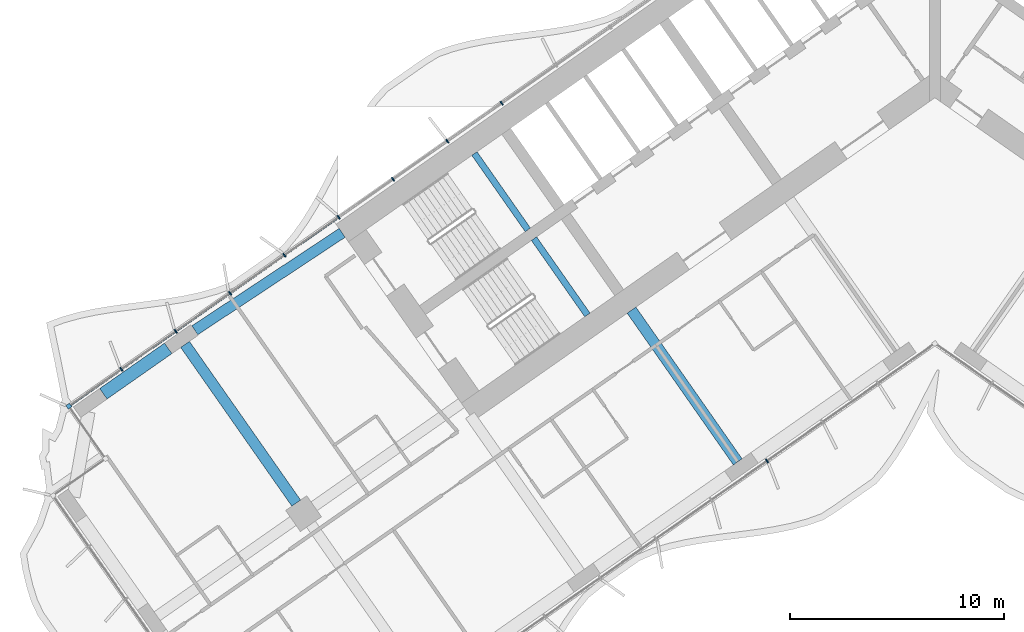
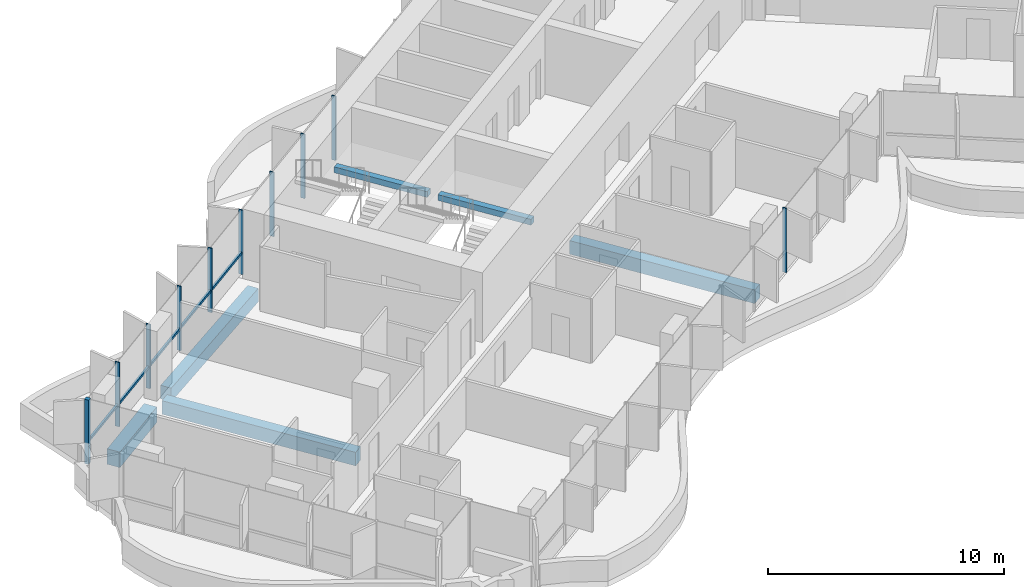
# One storey, part 4 of 22: 11 members, 6 beams, 2 elements without a shape of their own.
"""IFC4 building model written with IfcOpenShell, lengths in metres."""

from ifc_helpers import new_model, si_unit, direction, frame, origin, origin_2d, place, context, subcontext, project, spatial, rectangle, extrude, material, material_profile, profile_set, type_object, element, aggregate, save


model = new_model("IFC4")

# Units and contexts
model_context = context("Model", 3, precision=1e-05, world=origin(), true_north=direction((0.0, 1.0)))
body_context = subcontext(model_context, "Body", "Model", "MODEL_VIEW")
ifc_project = project(units=[si_unit("LENGTHUNIT", "METRE"), si_unit("AREAUNIT", "SQUARE_METRE"), si_unit("VOLUMEUNIT", "CUBIC_METRE"), si_unit("PLANEANGLEUNIT", "RADIAN"), si_unit("MASSUNIT", "GRAM", prefix="KILO")], contexts=[model_context])

# Site, building, storey
site_placement = place(None, origin())
site = spatial("IfcSite", under=ifc_project, at=site_placement, CompositionType="ELEMENT")
building_placement = place(site_placement, origin())
building = spatial("IfcBuilding", under=site, at=building_placement, Name="Tel Ilan Convention Tower", CompositionType="ELEMENT")
storey_placement = place(building_placement, frame((0.0, 0.0, 122.89990234375)))
storey = spatial("IfcBuildingStorey", under=building, at=storey_placement, Name="L27", CompositionType="ELEMENT", Elevation=122.89990234375)

# Beams
ifc_material_1 = material(Name="Concrete C40/50", Category="concrete")
ifc_material_profile_1 = material_profile(ifc_material_1, rectangle(XDim=0.5, YDim=0.699951171875, at=origin_2d()), Name="RC 500x700")
ifc_profile_set_1 = profile_set([ifc_material_profile_1], Name="Concrete C40/50")
beam_type_1 = type_object("IfcBeamType", Name="Beam RC 500x700 Concrete C40/50", PredefinedType="BEAM", material=ifc_profile_set_1)
beam_1_placement = place(storey_placement, frame((-34.570556640625, -12.08447265625, -0.6298828125), z_axis=(0.834273603487, 0.551350663847, 0.0), x_axis=(-0.551350663847, 0.834273603487, 0.0)))
element("IfcBeam", 1, at=beam_1_placement, inside=storey, type_object=beam_type_1, Name="L27 beam W-W-B4-core", PredefinedType="BEAM", context=body_context, shape_type="SweptSolid", body=[
    extrude(rectangle(XDim=0.5, YDim=0.699951171875, at=origin_2d()), origin(), (0.0, 0.0, 1.0), 8.2529296875),
])
beam_2_placement = place(storey_placement, frame((-9.209716796875, -18.229248046875, -0.6298828125), z_axis=(-0.573574099654, 0.819153680457, 0.0), x_axis=(-0.819153680457, -0.573574099654, 0.0)))
element("IfcBeam", 2, at=beam_2_placement, inside=storey, type_object=beam_type_1, Name="L27 beam W-W-F2-core", PredefinedType="BEAM", context=body_context, shape_type="SweptSolid", body=[
    extrude(rectangle(XDim=0.5, YDim=0.699951171875, at=origin_2d()), origin(), (0.0, 0.0, 1.0), 8.64990234375),
])
beam_3_placement = place(storey_placement, frame((-29.83349609375, -20.1572265625, -0.6298828125), z_axis=(-0.57358002233, 0.819149533348, 0.0), x_axis=(-0.819149533348, -0.57358002233, 0.0)))
element("IfcBeam", 3, at=beam_3_placement, inside=storey, type_object=beam_type_1, Name="L27 beam W-W-M4-W-B4", PredefinedType="BEAM", context=body_context, shape_type="SweptSolid", body=[
    extrude(rectangle(XDim=0.5, YDim=0.699951171875, at=origin_2d()), origin(), (0.0, 0.0, 1.0), 9.050048828125),
])
ifc_material_2 = material(Name="Concrete C40/50", Category="concrete")
ifc_material_profile_2 = material_profile(ifc_material_2, rectangle(XDim=0.60009765625, YDim=0.800048828125, at=origin_2d()), Name="RC 600x800")
ifc_profile_set_2 = profile_set([ifc_material_profile_2], Name="Concrete C40/50")
beam_type_2 = type_object("IfcBeamType", Name="Beam RC 600x800 Concrete C40/50", PredefinedType="BEAM", material=ifc_profile_set_2)
beam_4_placement = place(storey_placement, frame((-38.841796875, -15.050537109375, -0.679931640625), z_axis=(0.819185419371, 0.573528768842, 0.0), x_axis=(-0.573528768842, 0.819185419371, 0.0)))
element("IfcBeam", 4, at=beam_4_placement, inside=storey, type_object=beam_type_2, Name="L27 beam W-W-BC-W-B4", PredefinedType="BEAM", context=body_context, shape_type="SweptSolid", body=[
    extrude(rectangle(XDim=0.60009765625, YDim=0.800048828125, at=origin_2d()), origin(), (0.0, 0.0, 1.0), 3.699951171875),
])

# Curtain wall, member
ifc_material_3 = material(Name="Aluminium, bronze anodised", Category="aluminium")
curtain_wall_type_1 = type_object("IfcCurtainWallType", Name="CW1 UNITISED CURTAIN WALL, HOTEL TINTED GLASS", PredefinedType="NOTDEFINED", material=ifc_material_3)
curtain_wall_1_placement = place(storey_placement, origin())
curtain_wall_1 = element("IfcCurtainWall", 5, at=curtain_wall_1_placement, inside=storey, type_object=curtain_wall_type_1, Name="Curtain wall CW1-21.02", PredefinedType="NOTDEFINED")
ifc_material_4 = material(Name="Aluminium, bronze anodised", Category="aluminium")
ifc_material_profile_3 = material_profile(ifc_material_4, rectangle(XDim=0.199951171875, YDim=0.199951171875, at=origin_2d()), Name="CW CORNER MULLION 200x200")
ifc_profile_set_3 = profile_set([ifc_material_profile_3], Name="Aluminium, bronze anodised")
member_type_1 = type_object("IfcMemberType", Name="CW CORNER MULLION 200x200", PredefinedType="MULLION", material=ifc_profile_set_3)
member_1_placement = place(storey_placement, frame((-40.451416015625, -15.62841796875, 0.0), z_axis=(0.0, 0.0, 1.0), x_axis=(-0.819152044289, -0.573576436351, 0.0)))
member_1 = element("IfcMember", 6, at=member_1_placement, type_object=member_type_1, Name="Corner mullion", PredefinedType="MULLION", context=body_context, shape_type="SweptSolid", body=[
    extrude(rectangle(XDim=0.199951171875, YDim=0.199951171875, at=origin_2d()), origin(), (0.0, 0.0, 1.0), 3.320068359375),
])

# Curtain wall, members
ifc_material_5 = material(Name="Aluminium, bronze anodised", Category="aluminium")
curtain_wall_type_2 = type_object("IfcCurtainWallType", Name="CW2 STICK CURTAIN WALL, SPANDREL PANELS", PredefinedType="NOTDEFINED", material=ifc_material_5)
curtain_wall_2_placement = place(storey_placement, origin())
curtain_wall_2 = element("IfcCurtainWall", 7, at=curtain_wall_2_placement, inside=storey, type_object=curtain_wall_type_2, Name="Curtain wall CW2-21.01", PredefinedType="NOTDEFINED")
ifc_material_6 = material(Name="Aluminium, bronze anodised", Category="aluminium")
ifc_material_profile_4 = material_profile(ifc_material_6, rectangle(XDim=0.06005859375, YDim=0.199951171875, at=origin_2d()), Name="CW MULLION 60x200")
ifc_profile_set_4 = profile_set([ifc_material_profile_4], Name="Aluminium, bronze anodised")
member_type_2 = type_object("IfcMemberType", Name="CW MULLION 60x200", PredefinedType="MULLION", material=ifc_profile_set_4)
member_2_placement = place(storey_placement, frame((-20.238037109375, -1.474853515625, 0.0), z_axis=(0.0, 0.0, 1.0), x_axis=(-0.819152044289, -0.573576436351, 0.0)))
member_2 = element("IfcMember", 8, at=member_2_placement, type_object=member_type_2, Name="Mullion", PredefinedType="MULLION", context=body_context, shape_type="SweptSolid", body=[
    extrude(rectangle(XDim=0.06005859375, YDim=0.199951171875, at=origin_2d()), origin(), (0.0, 0.0, 1.0), 3.320068359375),
])
member_3_placement = place(storey_placement, frame((-22.77490234375, -3.251220703125, 0.0), z_axis=(0.0, 0.0, 1.0), x_axis=(-0.819152044289, -0.573576436351, 0.0)))
member_3 = element("IfcMember", 9, at=member_3_placement, type_object=member_type_2, Name="Mullion", PredefinedType="MULLION", context=body_context, shape_type="SweptSolid", body=[
    extrude(rectangle(XDim=0.06005859375, YDim=0.199951171875, at=origin_2d()), origin(), (0.0, 0.0, 1.0), 3.320068359375),
])
member_4_placement = place(storey_placement, frame((-25.311767578125, -5.027587890625, 0.0), z_axis=(0.0, 0.0, 1.0), x_axis=(-0.819152044289, -0.573576436351, 0.0)))
member_4 = element("IfcMember", 10, at=member_4_placement, type_object=member_type_2, Name="Mullion", PredefinedType="MULLION", context=body_context, shape_type="SweptSolid", body=[
    extrude(rectangle(XDim=0.06005859375, YDim=0.199951171875, at=origin_2d()), origin(), (0.0, 0.0, 1.0), 3.320068359375),
])
member_5_placement = place(storey_placement, frame((-27.848876953125, -6.803955078125, 0.0), z_axis=(0.0, 0.0, 1.0), x_axis=(-0.819152044289, -0.573576436351, 0.0)))
member_5 = element("IfcMember", 11, at=member_5_placement, type_object=member_type_2, Name="Mullion", PredefinedType="MULLION", context=body_context, shape_type="SweptSolid", body=[
    extrude(rectangle(XDim=0.06005859375, YDim=0.199951171875, at=origin_2d()), origin(), (0.0, 0.0, 1.0), 3.320068359375),
])
aggregate(curtain_wall_2, [member_2, member_3, member_4, member_5])

# Member
member_6_placement = place(storey_placement, frame((-30.3857421875, -8.580322265625, 0.0), z_axis=(0.0, 0.0, 1.0), x_axis=(-0.819152044289, -0.573576436351, 0.0)))
member_6 = element("IfcMember", 12, at=member_6_placement, type_object=member_type_2, Name="Mullion", PredefinedType="MULLION", context=body_context, shape_type="SweptSolid", body=[
    extrude(rectangle(XDim=0.06005859375, YDim=0.199951171875, at=origin_2d()), origin(), (0.0, 0.0, 1.0), 3.320068359375),
])

member_7_placement = place(storey_placement, frame((-32.922607421875, -10.356689453125, 0.0), z_axis=(0.0, 0.0, 1.0), x_axis=(-0.819152044289, -0.573576436351, 0.0)))
member_7 = element("IfcMember", 13, at=member_7_placement, type_object=member_type_2, Name="Mullion", PredefinedType="MULLION", context=body_context, shape_type="SweptSolid", body=[
    extrude(rectangle(XDim=0.06005859375, YDim=0.199951171875, at=origin_2d()), origin(), (0.0, 0.0, 1.0), 3.320068359375),
])

member_8_placement = place(storey_placement, frame((-35.45947265625, -12.133056640625, 0.0), z_axis=(0.0, 0.0, 1.0), x_axis=(-0.819152044289, -0.573576436351, 0.0)))
member_8 = element("IfcMember", 14, at=member_8_placement, type_object=member_type_2, Name="Mullion", PredefinedType="MULLION", context=body_context, shape_type="SweptSolid", body=[
    extrude(rectangle(XDim=0.06005859375, YDim=0.199951171875, at=origin_2d()), origin(), (0.0, 0.0, 1.0), 3.320068359375),
])

member_9_placement = place(storey_placement, frame((-37.99658203125, -13.909423828125, 0.0), z_axis=(0.0, 0.0, 1.0), x_axis=(-0.819152044289, -0.573576436351, 0.0)))
member_9 = element("IfcMember", 15, at=member_9_placement, type_object=member_type_2, Name="Mullion", PredefinedType="MULLION", context=body_context, shape_type="SweptSolid", body=[
    extrude(rectangle(XDim=0.06005859375, YDim=0.199951171875, at=origin_2d()), origin(), (0.0, 0.0, 1.0), 3.320068359375),
])

member_10_placement = place(storey_placement, frame((-7.842529296875, -18.1875, 0.0), z_axis=(0.0, 0.0, 1.0), x_axis=(0.819152044289, 0.573576436351, 0.0)))
member_10 = element("IfcMember", 16, at=member_10_placement, type_object=member_type_2, Name="Mullion", PredefinedType="MULLION", context=body_context, shape_type="SweptSolid", body=[
    extrude(rectangle(XDim=0.06005859375, YDim=0.199951171875, at=origin_2d()), origin(), (0.0, 0.0, 1.0), 3.320068359375),
])

ifc_material_7 = material(Name="Aluminium, bronze anodised", Category="aluminium")
ifc_material_profile_5 = material_profile(ifc_material_7, rectangle(XDim=0.10009765625, YDim=0.1201171875, at=origin_2d()), Name="CW TRANSOM 100x120")
ifc_profile_set_5 = profile_set([ifc_material_profile_5], Name="Aluminium, bronze anodised")
member_type_3 = type_object("IfcMemberType", Name="CW TRANSOM 100x120", PredefinedType="USERDEFINED", material=ifc_profile_set_5)
member_11_placement = place(storey_placement, frame((-27.873291015625, -6.821044921875, 1.10009765625), z_axis=(-0.819152967985, -0.573575117174, 0.0), x_axis=(0.573575117174, -0.819152967985, 0.0)))
member_11 = element("IfcMember", 17, at=member_11_placement, type_object=member_type_3, Name="Transom", ObjectType="TRANSOM", PredefinedType="USERDEFINED", context=body_context, shape_type="SweptSolid", body=[
    extrude(rectangle(XDim=0.10009765625, YDim=0.1201171875, at=origin_2d()), origin(), (0.0, 0.0, 1.0), 15.255126953125),
])

aggregate(curtain_wall_1, [member_6, member_7, member_8, member_9, member_1, member_11, member_10])

# Beams
ifc_material_8 = material(Name="Concrete C40/50", Category="concrete")
ifc_material_profile_6 = material_profile(ifc_material_8, rectangle(XDim=0.300048828125, YDim=0.300048828125, at=origin_2d()), Name="RC 300x300")
ifc_profile_set_6 = profile_set([ifc_material_profile_6], Name="Concrete C40/50")
beam_type_3 = type_object("IfcBeamType", Name="Landing Beam RC 300x300 Concrete C40/50", PredefinedType="BEAM", material=ifc_profile_set_6)
beam_5_placement = place(storey_placement, frame((-19.013671875, -7.392822265625, 1.4501953125), z_axis=(-0.57356780395, 0.819158088694, 0.0), x_axis=(-0.819158088694, -0.57356780395, 0.0)))
element("IfcBeam", 18, at=beam_5_placement, inside=storey, type_object=beam_type_3, Name="S1 landing beam L27.1", PredefinedType="BEAM", context=body_context, shape_type="SweptSolid", body=[
    extrude(rectangle(XDim=0.300048828125, YDim=0.300048828125, at=origin_2d()), origin(), (0.0, 0.0, 1.0), 4.35009765625),
])
beam_6_placement = place(storey_placement, frame((-16.231689453125, -11.365478515625, 1.4501953125), z_axis=(-0.573594173421, 0.819139624372, 0.0), x_axis=(-0.819139624372, -0.573594173421, 0.0)))
element("IfcBeam", 19, at=beam_6_placement, inside=storey, type_object=beam_type_3, Name="S2 landing beam L27.1", PredefinedType="BEAM", context=body_context, shape_type="SweptSolid", body=[
    extrude(rectangle(XDim=0.300048828125, YDim=0.300048828125, at=origin_2d()), origin(), (0.0, 0.0, 1.0), 4.349853515625),
])

save(model, "model.ifc")
